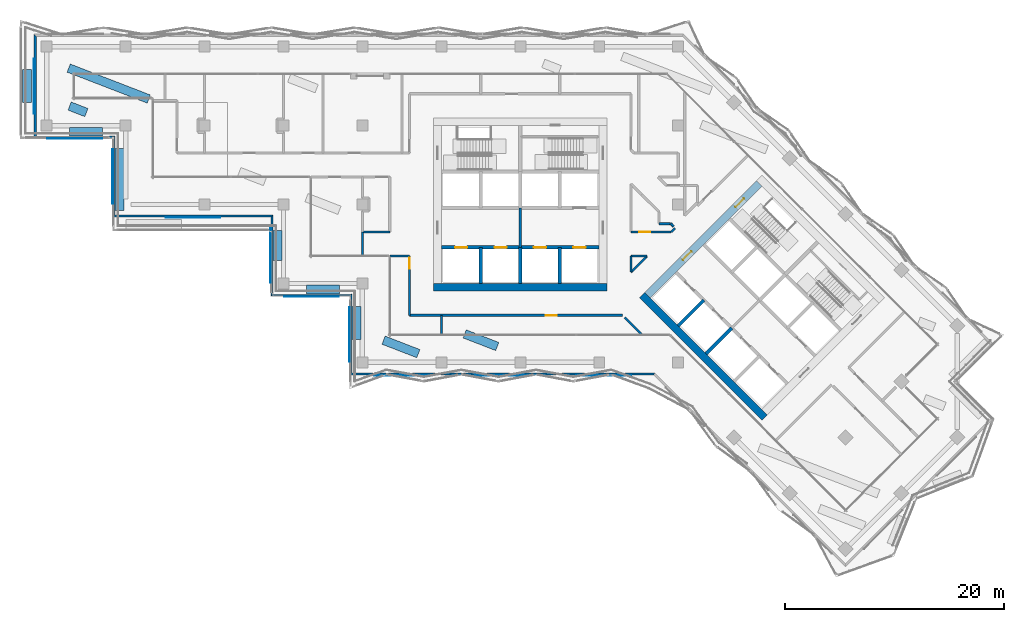
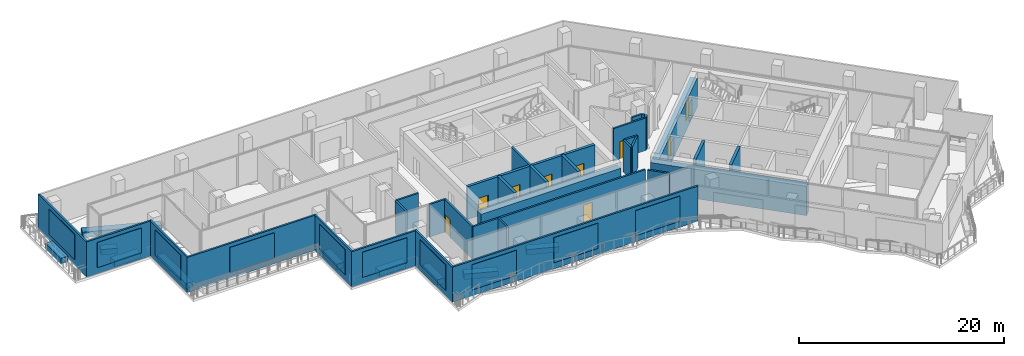
# One storey, part 10 of 23: 42 walls, 10 plates, 9 doors, 9 openings.
"""IFC4 building model written with IfcOpenShell, lengths in metres."""

from ifc_helpers import new_model, si_unit, direction, frame, frame_2d, origin, place, context, subcontext, project, spatial, polyline, rectangle, outline, extrude, material, layer, layer_set, type_object, element, fill, aggregate, save


model = new_model("IFC4")

# Units and contexts
model_context = context("Model", 3, precision=1e-05, world=origin(), true_north=direction((0.0, 1.0)))
body_context = subcontext(model_context, "Body", "Model", "MODEL_VIEW")
ifc_project = project(units=[si_unit("LENGTHUNIT", "METRE"), si_unit("AREAUNIT", "SQUARE_METRE"), si_unit("VOLUMEUNIT", "CUBIC_METRE"), si_unit("PLANEANGLEUNIT", "RADIAN"), si_unit("MASSUNIT", "GRAM", prefix="KILO")], contexts=[model_context])

# Plate
ifc_material_1 = material(Name="Aluminium louvre", Category="aluminium")
ifc_layer_1 = layer(ifc_material_1, 0.05)
ifc_layer_set_1 = layer_set([ifc_layer_1], Name="Belt louvre panel 5000x3000")
plate_type = type_object("IfcPlateType", Name="Belt louvre panel 5000x3000", PredefinedType="SHEET", material=ifc_layer_set_1)
site_placement = place(None, origin())
building_placement = place(site_placement, origin())
storey_placement = place(building_placement, frame((0.0, 0.0, 122.0)))
plate_1_placement = place(storey_placement, frame((20.4, 70.9, 0.75), z_axis=(-1.0, 0.0, 0.0), x_axis=(0.0, -1.0, 0.0)))
plate_1 = element("IfcPlate", 1, at=plate_1_placement, type_object=plate_type, Name="Belt louvre panel L33 35.1", PredefinedType="SHEET", context=body_context, shape_type="SweptSolid", body=[
    extrude(outline(polyline([(0.0, 0.0), (5.0, 0.0), (5.0, 3.0), (0.0, 3.0), (0.0, 0.0)])), origin(), (0.0, 0.0, -1.0), 0.05),
])

plate_2_placement = place(storey_placement, frame((21.65, 63.6, 0.75), z_axis=(0.0, -1.0, 0.0), x_axis=(1.0, 0.0, 0.0)))
plate_2 = element("IfcPlate", 2, at=plate_2_placement, type_object=plate_type, Name="Belt louvre panel L33 39.1", PredefinedType="SHEET", context=body_context, shape_type="SweptSolid", body=[
    extrude(outline(polyline([(0.0, 0.0), (5.0, 0.0), (5.0, 3.0), (0.0, 3.0), (0.0, 0.0)])), origin(), (0.0, 0.0, -1.0), 0.05),
])

plate_3_placement = place(storey_placement, frame((27.6, 62.65, 0.75), z_axis=(-1.0, 0.0, 0.0), x_axis=(0.0, -1.0, 0.0)))
plate_3 = element("IfcPlate", 3, at=plate_3_placement, type_object=plate_type, Name="Belt louvre panel L33 43.1", PredefinedType="SHEET", context=body_context, shape_type="SweptSolid", body=[
    extrude(outline(polyline([(0.0, 0.0), (5.0, 0.0), (5.0, 3.0), (0.0, 3.0), (0.0, 0.0)])), origin(), (0.0, 0.0, -1.0), 0.05),
])

plate_4_placement = place(storey_placement, frame((32.45, 56.4, 0.75), z_axis=(0.0, -1.0, 0.0), x_axis=(1.0, 0.0, 0.0)))
plate_4 = element("IfcPlate", 4, at=plate_4_placement, type_object=plate_type, Name="Belt louvre panel L33 47.1", PredefinedType="SHEET", context=body_context, shape_type="SweptSolid", body=[
    extrude(outline(polyline([(0.0, 0.0), (5.0, 0.0), (5.0, 3.0), (0.0, 3.0), (0.0, 0.0)])), origin(), (0.0, 0.0, -1.0), 0.05),
])

plate_5_placement = place(storey_placement, frame((42.0, 55.45, 0.75), z_axis=(-1.0, 0.0, 0.0), x_axis=(0.0, -1.0, 0.0)))
plate_5 = element("IfcPlate", 5, at=plate_5_placement, type_object=plate_type, Name="Belt louvre panel L33 51.1", PredefinedType="SHEET", context=body_context, shape_type="SweptSolid", body=[
    extrude(outline(polyline([(0.0, 0.0), (5.0, 0.0), (5.0, 3.0), (0.0, 3.0), (0.0, 0.0)])), origin(), (0.0, 0.0, -1.0), 0.05),
])

plate_6_placement = place(storey_placement, frame((43.25, 49.2, 0.75), z_axis=(0.0, -1.0, 0.0), x_axis=(1.0, 0.0, 0.0)))
plate_6 = element("IfcPlate", 6, at=plate_6_placement, type_object=plate_type, Name="Belt louvre panel L33 55.1", PredefinedType="SHEET", context=body_context, shape_type="SweptSolid", body=[
    extrude(outline(polyline([(0.0, 0.0), (5.0, 0.0), (5.0, 3.0), (0.0, 3.0), (0.0, 0.0)])), origin(), (0.0, 0.0, -1.0), 0.05),
])

plate_7_placement = place(storey_placement, frame((49.2, 48.25, 0.75), z_axis=(-1.0, 0.0, 0.0), x_axis=(0.0, -1.0, 0.0)))
plate_7 = element("IfcPlate", 7, at=plate_7_placement, type_object=plate_type, Name="Belt louvre panel L33 59.1", PredefinedType="SHEET", context=body_context, shape_type="SweptSolid", body=[
    extrude(outline(polyline([(0.0, 0.0), (5.0, 0.0), (5.0, 3.0), (0.0, 3.0), (0.0, 0.0)])), origin(), (0.0, 0.0, -1.0), 0.05),
])

plate_8_placement = place(storey_placement, frame((51.4613, 42.0, 0.75), z_axis=(0.0, -1.0, 0.0), x_axis=(1.0, 0.0, 0.0)))
plate_8 = element("IfcPlate", 8, at=plate_8_placement, type_object=plate_type, Name="Belt louvre panel L33 63.1", PredefinedType="SHEET", context=body_context, shape_type="SweptSolid", body=[
    extrude(outline(polyline([(0.0, 0.0), (5.0, 0.0), (5.0, 3.0), (0.0, 3.0), (0.0, 0.0)])), origin(), (0.0, 0.0, -1.0), 0.05),
])

plate_9_placement = place(storey_placement, frame((60.684, 42.0, 0.75), z_axis=(0.0, -1.0, 0.0), x_axis=(1.0, 0.0, 0.0)))
plate_9 = element("IfcPlate", 9, at=plate_9_placement, type_object=plate_type, Name="Belt louvre panel L33 64.2", PredefinedType="SHEET", context=body_context, shape_type="SweptSolid", body=[
    extrude(outline(polyline([(0.0, 0.0), (5.0, 0.0), (5.0, 3.0), (0.0, 3.0), (0.0, 0.0)])), origin(), (0.0, 0.0, -1.0), 0.05),
])

plate_10_placement = place(storey_placement, frame((69.9067, 42.0, 0.75), z_axis=(0.0, -1.0, 0.0), x_axis=(1.0, 0.0, 0.0)))
plate_10 = element("IfcPlate", 10, at=plate_10_placement, type_object=plate_type, Name="Belt louvre panel L33 65.3", PredefinedType="SHEET", context=body_context, shape_type="SweptSolid", body=[
    extrude(outline(polyline([(0.0, 0.0), (5.0, 0.0), (5.0, 3.0), (0.0, 3.0), (0.0, 0.0)])), origin(), (0.0, 0.0, -1.0), 0.05),
])

# Site, building, storey
site = spatial("IfcSite", under=ifc_project, at=site_placement, CompositionType="ELEMENT")
building = spatial("IfcBuilding", under=site, at=building_placement, Name="Windrow Commons", CompositionType="ELEMENT")
storey = spatial("IfcBuildingStorey", under=building, at=storey_placement, Name="L33", CompositionType="ELEMENT", Elevation=122.0)

# Wall
ifc_material_2 = material(Name="Concrete C40/50 precast screen panel", Category="concrete")
ifc_layer_2 = layer(ifc_material_2, 0.2)
ifc_layer_set_2 = layer_set([ifc_layer_2], Name="Belt screen wall 200")
wall_type_1 = type_object("IfcWallType", Name="Belt screen wall 200", PredefinedType="SOLIDWALL", material=ifc_layer_set_2)
wall_1_placement = place(storey_placement, frame((20.55, 73.05, 0.0), z_axis=(0.0, 0.0, 1.0), x_axis=(0.0, -1.0, 0.0)))
wall_1 = element("IfcWall", 11, at=wall_1_placement, inside=storey, type_object=wall_type_1, Name="Belt screen wall L33 35", PredefinedType="SOLIDWALL", context=body_context, shape_type="SweptSolid", body=[
    extrude(outline(polyline([(-0.1, -0.1), (9.4, -0.1), (9.2, 0.1), (0.1, 0.1), (-0.1, -0.1)])), origin(), (0.0, 0.0, 1.0), 4.2),
])

aggregate(wall_1, [plate_1])

wall_2_placement = place(storey_placement, frame((20.55, 63.75, 0.0), z_axis=(0.0, 0.0, 1.0), x_axis=(1.0, 0.0, 0.0)))
wall_2 = element("IfcWall", 12, at=wall_2_placement, inside=storey, type_object=wall_type_1, Name="Belt screen wall L33 39", PredefinedType="SOLIDWALL", context=body_context, shape_type="SweptSolid", body=[
    extrude(outline(polyline([(-0.1, -0.1), (7.1, -0.1), (7.3, 0.1), (0.1, 0.1), (-0.1, -0.1)])), origin(), (0.0, 0.0, 1.0), 4.2),
])

aggregate(wall_2, [plate_2])

wall_3_placement = place(storey_placement, frame((27.75, 63.75, 0.0), z_axis=(0.0, 0.0, 1.0), x_axis=(0.0, -1.0, 0.0)))
wall_3 = element("IfcWall", 13, at=wall_3_placement, inside=storey, type_object=wall_type_1, Name="Belt screen wall L33 43", PredefinedType="SOLIDWALL", context=body_context, shape_type="SweptSolid", body=[
    extrude(outline(polyline([(0.1, -0.1), (7.3, -0.1), (7.1, 0.1), (-0.1, 0.1), (0.1, -0.1)])), origin(), (0.0, 0.0, 1.0), 4.2),
])

aggregate(wall_3, [plate_3])

wall_4_placement = place(storey_placement, frame((27.75, 56.55, 0.0), z_axis=(0.0, 0.0, 1.0), x_axis=(1.0, 0.0, 0.0)))
wall_4 = element("IfcWall", 14, at=wall_4_placement, inside=storey, type_object=wall_type_1, Name="Belt screen wall L33 47", PredefinedType="SOLIDWALL", context=body_context, shape_type="SweptSolid", body=[
    extrude(outline(polyline([(-0.1, -0.1), (14.3, -0.1), (14.5, 0.1), (0.1, 0.1), (-0.1, -0.1)])), origin(), (0.0, 0.0, 1.0), 4.2),
])

aggregate(wall_4, [plate_4])

wall_5_placement = place(storey_placement, frame((42.15, 56.55, 0.0), z_axis=(0.0, 0.0, 1.0), x_axis=(0.0, -1.0, 0.0)))
wall_5 = element("IfcWall", 15, at=wall_5_placement, inside=storey, type_object=wall_type_1, Name="Belt screen wall L33 51", PredefinedType="SOLIDWALL", context=body_context, shape_type="SweptSolid", body=[
    extrude(outline(polyline([(0.1, -0.1), (7.3, -0.1), (7.1, 0.1), (-0.1, 0.1), (0.1, -0.1)])), origin(), (0.0, 0.0, 1.0), 4.2),
])

aggregate(wall_5, [plate_5])

wall_6_placement = place(storey_placement, frame((42.15, 49.35, 0.0), z_axis=(0.0, 0.0, 1.0), x_axis=(1.0, 0.0, 0.0)))
wall_6 = element("IfcWall", 16, at=wall_6_placement, inside=storey, type_object=wall_type_1, Name="Belt screen wall L33 55", PredefinedType="SOLIDWALL", context=body_context, shape_type="SweptSolid", body=[
    extrude(outline(polyline([(-0.1, -0.1), (7.1, -0.1), (7.3, 0.1), (0.1, 0.1), (-0.1, -0.1)])), origin(), (0.0, 0.0, 1.0), 4.2),
])

aggregate(wall_6, [plate_6])

wall_7_placement = place(storey_placement, frame((49.35, 49.35, 0.0), z_axis=(0.0, 0.0, 1.0), x_axis=(0.0, -1.0, 0.0)))
wall_7 = element("IfcWall", 17, at=wall_7_placement, inside=storey, type_object=wall_type_1, Name="Belt screen wall L33 59", PredefinedType="SOLIDWALL", context=body_context, shape_type="SweptSolid", body=[
    extrude(outline(polyline([(0.1, -0.1), (7.3, -0.1), (7.1, 0.1), (-0.1, 0.1), (0.1, -0.1)])), origin(), (0.0, 0.0, 1.0), 4.2),
])

aggregate(wall_7, [plate_7])

wall_8_placement = place(storey_placement, frame((49.35, 42.15, 0.0), z_axis=(0.0, 0.0, 1.0), x_axis=(1.0, 0.0, 0.0)))
wall_8 = element("IfcWall", 18, at=wall_8_placement, inside=storey, type_object=wall_type_1, Name="Belt screen wall L33 63", PredefinedType="SOLIDWALL", context=body_context, shape_type="SweptSolid", body=[
    extrude(outline(polyline([(-0.1, -0.1), (27.6266, -0.1), (27.7095, 0.1), (0.1, 0.1), (-0.1, -0.1)])), origin(), (0.0, 0.0, 1.0), 4.2),
])

aggregate(wall_8, [plate_8, plate_9, plate_10])

ifc_material_3 = material(Name="Blockwork partition", Category="masonry")
ifc_layer_3 = layer(ifc_material_3, 0.2)
ifc_layer_set_3 = layer_set([ifc_layer_3], Name="Fire lobby partition 200")
wall_type_2 = type_object("IfcWallType", Name="Fire lobby partition 200", PredefinedType="PARTITIONING", material=ifc_layer_set_3)
wall_9_placement = place(storey_placement, frame((64.8, 53.7, 0.0), z_axis=(0.0, 0.0, 1.0), x_axis=(0.0, 1.0, 0.0)))
element("IfcWall", 19, at=wall_9_placement, inside=storey, type_object=wall_type_2, Name="W-core-lobby-A-L33", PredefinedType="PARTITIONING", context=body_context, shape_type="SweptSolid", body=[
    extrude(rectangle(XDim=3.6, YDim=0.2, at=frame_2d((1.8, 0.0))), origin(), (0.0, 0.0, 1.0), 3.9),
])

# Wall, opening, door
ifc_material_4 = material(Name="Blockwork partition", Category="masonry")
ifc_layer_4 = layer(ifc_material_4, 0.2)
ifc_layer_set_4 = layer_set([ifc_layer_4], Name="IW-CORRIDOR-200")
wall_type_3 = type_object("IfcWallType", Name="IW-CORRIDOR-200", PredefinedType="PARTITIONING", material=ifc_layer_set_4)
wall_10_placement = place(storey_placement, frame((54.7, 47.5, 0.0), z_axis=(0.0, 0.0, 1.0), x_axis=(1.0, 0.0, 0.0)))
wall_10 = element("IfcWall", 20, at=wall_10_placement, inside=storey, type_object=wall_type_3, Name="W-L33-W002", PredefinedType="PARTITIONING", context=body_context, shape_type="SweptSolid", body=[
    extrude(rectangle(XDim=19.442, YDim=0.2, at=frame_2d((9.721, 0.0))), origin(), (0.0, 0.0, 1.0), 3.9),
])
opening_1_placement = place(wall_10_placement, frame((12.4445, 0.0, 0.0)))
opening_1 = element("IfcOpeningElement", 21, at=opening_1_placement, cuts=wall_10, Name="Opening D310F", PredefinedType="OPENING", context=body_context, shape_type="SweptSolid", body=[
    extrude(rectangle(XDim=1.0, YDim=2.1, at=frame_2d((0.5, 1.05))), frame((0.0, 0.11, 0.0), z_axis=(0.0, -1.0, 0.0), x_axis=(1.0, 0.0, 0.0)), (0.0, 0.0, 1.0), 0.22),
])
ifc_material_5 = material(Name="Timber door leaf", Category="wood")
door_type_1 = type_object("IfcDoorType", Name="DT-AMENITY-1000", OperationType="SINGLE_SWING_LEFT", PredefinedType="DOOR", material=ifc_material_5)
door_1_placement = place(opening_1_placement, origin())
door_1 = element("IfcDoor", 22, at=door_1_placement, inside=storey, type_object=door_type_1, Name="D-L33-D003", OperationType="SINGLE_SWING_LEFT", OverallHeight=2.1, OverallWidth=1.0, PredefinedType="DOOR", context=body_context, shape_type="SweptSolid", body=[
    extrude(rectangle(XDim=1.0, YDim=2.1, at=frame_2d((0.5, 1.05))), frame((0.0, 0.025, 0.0), z_axis=(0.0, -1.0, 0.0), x_axis=(1.0, 0.0, 0.0)), (0.0, 0.0, 1.0), 0.05),
])
fill(opening_1, door_1)

wall_11_placement = place(storey_placement, frame((54.7, 47.5, 0.0), z_axis=(0.0, 0.0, 1.0), x_axis=(0.0, 1.0, 0.0)))
wall_11 = element("IfcWall", 23, at=wall_11_placement, inside=storey, type_object=wall_type_3, Name="W-L33-W012", PredefinedType="PARTITIONING", context=body_context, shape_type="SweptSolid", body=[
    extrude(rectangle(XDim=5.4, YDim=0.2, at=frame_2d((2.7, 0.0))), origin(), (0.0, 0.0, 1.0), 3.9),
])
opening_2_placement = place(wall_11_placement, frame((4.257, 0.0, 0.0)))
opening_2 = element("IfcOpeningElement", 24, at=opening_2_placement, cuts=wall_11, Name="Opening D310F", PredefinedType="OPENING", context=body_context, shape_type="SweptSolid", body=[
    extrude(rectangle(XDim=1.0, YDim=2.1, at=frame_2d((0.5, 1.05))), frame((0.0, 0.11, 0.0), z_axis=(0.0, -1.0, 0.0), x_axis=(1.0, 0.0, 0.0)), (0.0, 0.0, 1.0), 0.22),
])
door_2_placement = place(opening_2_placement, origin())
door_2 = element("IfcDoor", 25, at=door_2_placement, inside=storey, type_object=door_type_1, Name="D-L33-D002", OperationType="SINGLE_SWING_LEFT", OverallHeight=2.1, OverallWidth=1.0, PredefinedType="DOOR", context=body_context, shape_type="SweptSolid", body=[
    extrude(rectangle(XDim=1.0, YDim=2.1, at=frame_2d((0.5, 1.05))), frame((0.0, 0.025, 0.0), z_axis=(0.0, -1.0, 0.0), x_axis=(1.0, 0.0, 0.0)), (0.0, 0.0, 1.0), 0.05),
])
fill(opening_2, door_2)

wall_12_placement = place(storey_placement, frame((74.902, 55.1, 0.0), z_axis=(0.0, 0.0, 1.0), x_axis=(1.0, 0.0, 0.0)))
wall_12 = element("IfcWall", 26, at=wall_12_placement, inside=storey, type_object=wall_type_3, Name="W-L33-W021", PredefinedType="PARTITIONING", context=body_context, shape_type="SweptSolid", body=[
    extrude(rectangle(XDim=3.662, YDim=0.2, at=frame_2d((1.831, 0.0))), origin(), (0.0, 0.0, 1.0), 3.9),
])
opening_3_placement = place(wall_12_placement, frame((0.7309, 0.0, 0.0)))
opening_3 = element("IfcOpeningElement", 27, at=opening_3_placement, cuts=wall_12, Name="Opening D310F", PredefinedType="OPENING", context=body_context, shape_type="SweptSolid", body=[
    extrude(rectangle(XDim=1.0, YDim=2.1, at=frame_2d((0.5, 1.05))), frame((0.0, 0.11, 0.0), z_axis=(0.0, -1.0, 0.0), x_axis=(1.0, 0.0, 0.0)), (0.0, 0.0, 1.0), 0.22),
])
door_3_placement = place(opening_3_placement, origin())
door_3 = element("IfcDoor", 28, at=door_3_placement, inside=storey, type_object=door_type_1, Name="D-L33-D004", OperationType="SINGLE_SWING_LEFT", OverallHeight=2.1, OverallWidth=1.0, PredefinedType="DOOR", context=body_context, shape_type="SweptSolid", body=[
    extrude(rectangle(XDim=1.0, YDim=2.1, at=frame_2d((0.5, 1.05))), frame((0.0, 0.025, 0.0), z_axis=(0.0, -1.0, 0.0), x_axis=(1.0, 0.0, 0.0)), (0.0, 0.0, 1.0), 0.05),
])
fill(opening_3, door_3)

# Walls
wall_13_placement = place(storey_placement, frame((50.4, 55.1, 0.0), z_axis=(0.0, 0.0, 1.0), x_axis=(1.0, 0.0, 0.0)))
element("IfcWall", 29, at=wall_13_placement, inside=storey, type_object=wall_type_3, Name="W-L33-W025", PredefinedType="PARTITIONING", context=body_context, shape_type="SweptSolid", body=[
    extrude(rectangle(XDim=2.5, YDim=0.2, at=frame_2d((1.25, 0.0))), origin(), (0.0, 0.0, 1.0), 3.9),
])
wall_14_placement = place(storey_placement, frame((74.3393, 47.2973, 0.0), z_axis=(0.0, 0.0, 1.0), x_axis=(0.7071067812, -0.7071067812, 0.0)))
element("IfcWall", 30, at=wall_14_placement, inside=storey, type_object=wall_type_3, Name="W-L33-W028", PredefinedType="PARTITIONING", context=body_context, shape_type="SweptSolid", body=[
    extrude(rectangle(XDim=2.2203, YDim=0.2, at=frame_2d((1.1101, 0.0))), origin(), (0.0, 0.0, 1.0), 3.9),
])
wall_15_placement = place(storey_placement, frame((50.4, 52.93, 0.0), z_axis=(0.0, 0.0, 1.0), x_axis=(0.0, 1.0, 0.0)))
element("IfcWall", 31, at=wall_15_placement, inside=storey, type_object=wall_type_3, Name="W-L33-W031", PredefinedType="PARTITIONING", context=body_context, shape_type="SweptSolid", body=[
    extrude(rectangle(XDim=2.17, YDim=0.2, at=frame_2d((1.085, 0.0))), origin(), (0.0, 0.0, 1.0), 3.9),
])
wall_16_placement = place(storey_placement, frame((74.9009, 51.4391, 0.0), z_axis=(0.0, 0.0, 1.0), x_axis=(0.7071067812, 0.7071067812, 0.0)))
element("IfcWall", 32, at=wall_16_placement, inside=storey, type_object=wall_type_3, Name="W-L33-W032", PredefinedType="PARTITIONING", context=body_context, shape_type="SweptSolid", body=[
    extrude(rectangle(XDim=2.0648, YDim=0.2, at=frame_2d((1.0324, 0.0))), origin(), (0.0, 0.0, 1.0), 3.9),
])
wall_17_placement = place(storey_placement, frame((52.912, 52.9, 0.0), z_axis=(0.0, 0.0, 1.0), x_axis=(1.0, 0.0, 0.0)))
element("IfcWall", 33, at=wall_17_placement, inside=storey, type_object=wall_type_3, Name="W-L33-W039", PredefinedType="PARTITIONING", context=body_context, shape_type="SweptSolid", body=[
    extrude(rectangle(XDim=1.788, YDim=0.2, at=frame_2d((0.894, 0.0))), origin(), (0.0, 0.0, 1.0), 3.9),
])
wall_18_placement = place(storey_placement, frame((74.9, 51.438, 0.0), z_axis=(0.0, 0.0, 1.0), x_axis=(0.0, 1.0, 0.0)))
element("IfcWall", 34, at=wall_18_placement, inside=storey, type_object=wall_type_3, Name="W-L33-W046", PredefinedType="PARTITIONING", context=body_context, shape_type="SweptSolid", body=[
    extrude(rectangle(XDim=1.462, YDim=0.2, at=frame_2d((0.731, 0.0))), origin(), (0.0, 0.0, 1.0), 3.9),
])
wall_19_placement = place(storey_placement, frame((74.902, 52.9, 0.0), z_axis=(0.0, 0.0, 1.0), x_axis=(1.0, 0.0, 0.0)))
element("IfcWall", 35, at=wall_19_placement, inside=storey, type_object=wall_type_3, Name="W-L33-W047", PredefinedType="PARTITIONING", context=body_context, shape_type="SweptSolid", body=[
    extrude(rectangle(XDim=1.46, YDim=0.2, at=frame_2d((0.73, 0.0))), origin(), (0.0, 0.0, 1.0), 3.9),
])
wall_20_placement = place(storey_placement, frame((77.452, 55.85, 0.0), z_axis=(0.0, 0.0, 1.0), x_axis=(1.0, 0.0, 0.0)))
element("IfcWall", 36, at=wall_20_placement, inside=storey, type_object=wall_type_3, Name="W-L33-W055", PredefinedType="PARTITIONING", context=body_context, shape_type="SweptSolid", body=[
    extrude(rectangle(XDim=1.068, YDim=0.2, at=frame_2d((0.534, 0.0))), origin(), (0.0, 0.0, 1.0), 3.9),
])
wall_21_placement = place(storey_placement, frame((78.5629, 55.1011, 0.0), z_axis=(0.0, 0.0, 1.0), x_axis=(0.7071067812, 0.7071067812, 0.0)))
element("IfcWall", 37, at=wall_21_placement, inside=storey, type_object=wall_type_3, Name="W-L33-W065", PredefinedType="PARTITIONING", context=body_context, shape_type="SweptSolid", body=[
    extrude(rectangle(XDim=0.4978, YDim=0.2, at=frame_2d((0.2489, 0.0))), origin(), (0.0, 0.0, 1.0), 3.9),
])
wall_22_placement = place(storey_placement, frame((78.5253, 55.8533, 0.0), z_axis=(0.0, 0.0, 1.0), x_axis=(0.7071067812, -0.7071067812, 0.0)))
element("IfcWall", 38, at=wall_22_placement, inside=storey, type_object=wall_type_3, Name="W-L33-W067", PredefinedType="PARTITIONING", context=body_context, shape_type="SweptSolid", body=[
    extrude(rectangle(XDim=0.3592, YDim=0.2, at=frame_2d((0.1796, 0.0))), origin(), (0.0, 0.0, 1.0), 3.9),
])
ifc_material_6 = material(Name="Blockwork partition", Category="masonry")
ifc_layer_5 = layer(ifc_material_6, 0.2)
ifc_layer_set_5 = layer_set([ifc_layer_5], Name="IW-PARTY-200")
wall_type_4 = type_object("IfcWallType", Name="IW-PARTY-200", PredefinedType="PARTITIONING", material=ifc_layer_set_5)
wall_23_placement = place(storey_placement, frame((57.6, 45.73, 0.0), z_axis=(0.0, 0.0, 1.0), x_axis=(0.0, 1.0, 0.0)))
element("IfcWall", 39, at=wall_23_placement, inside=storey, type_object=wall_type_4, Name="W-L33-W040", PredefinedType="PARTITIONING", context=body_context, shape_type="SweptSolid", body=[
    extrude(rectangle(XDim=1.77, YDim=0.2, at=frame_2d((0.885, 0.0))), origin(), (0.0, 0.0, 1.0), 3.9),
])
ifc_material_7 = material(Name="Concrete C30/37 planter wall", Category="concrete")
ifc_layer_6 = layer(ifc_material_7, 0.8)
ifc_layer_set_6 = layer_set([ifc_layer_6], Name="Planter 800x600")
wall_type_5 = type_object("IfcWallType", Name="Planter 800x600", PredefinedType="SOLIDWALL", material=ifc_layer_set_6)
wall_24_placement = place(storey_placement, frame((19.817, 69.9089, 0.0), z_axis=(0.0, 0.0, 1.0), x_axis=(0.0, -1.0, 0.0)))
element("IfcWall", 40, at=wall_24_placement, inside=storey, type_object=wall_type_5, Name="PLANTER TR-L33-1.34", PredefinedType="SOLIDWALL", context=body_context, shape_type="SweptSolid", body=[
    extrude(rectangle(XDim=3.0178, YDim=0.8, at=frame_2d((1.5089, 0.0))), origin(), (0.0, 0.0, 1.0), 0.65),
])
wall_25_placement = place(storey_placement, frame((23.7, 64.25, 0.0), z_axis=(0.0, 0.0, 1.0), x_axis=(1.0, 0.0, 0.0)))
element("IfcWall", 41, at=wall_25_placement, inside=storey, type_object=wall_type_5, Name="PLANTER TR-L33-1.35", PredefinedType="SOLIDWALL", context=body_context, shape_type="SweptSolid", body=[
    extrude(rectangle(XDim=3.0, YDim=0.8, at=frame_2d((1.5, 0.0))), origin(), (0.0, 0.0, 1.0), 0.65),
])
wall_26_placement = place(storey_placement, frame((28.25, 62.7, 0.0), z_axis=(0.0, 0.0, 1.0), x_axis=(0.0, -1.0, 0.0)))
element("IfcWall", 42, at=wall_26_placement, inside=storey, type_object=wall_type_5, Name="PLANTER TR-L33-1.36", PredefinedType="SOLIDWALL", context=body_context, shape_type="SweptSolid", body=[
    extrude(rectangle(XDim=5.63, YDim=0.8, at=frame_2d((2.815, 0.0))), origin(), (0.0, 0.0, 1.0), 0.65),
])
wall_27_placement = place(storey_placement, frame((42.65, 55.217, 0.0), z_axis=(0.0, 0.0, 1.0), x_axis=(0.0, -1.0, 0.0)))
element("IfcWall", 43, at=wall_27_placement, inside=storey, type_object=wall_type_5, Name="PLANTER TR-L33-1.38", PredefinedType="SOLIDWALL", context=body_context, shape_type="SweptSolid", body=[
    extrude(rectangle(XDim=2.717, YDim=0.8, at=frame_2d((1.3585, 0.0))), origin(), (0.0, 0.0, 1.0), 0.65),
])
for number, where, z_axis, x_axis, name in (
    (44, (45.3, 49.85, 0.0), (0.0, 0.0, 1.0), (1.0, 0.0, 0.0), "PLANTER TR-L33-1.39"),
    (45, (49.85, 48.3, 0.0), (0.0, 0.0, 1.0), (0.0, -1.0, 0.0), "PLANTER TR-L33-1.40"),
):
    element("IfcWall", number, at=place(storey_placement, frame(where, z_axis=z_axis, x_axis=x_axis)), inside=storey, type_object=wall_type_5, Name=name, PredefinedType="SOLIDWALL", context=body_context, shape_type="SweptSolid", body=[
        extrude(rectangle(XDim=3.0, YDim=0.8, at=frame_2d((1.5, 0.0))), origin(), (0.0, 0.0, 1.0), 0.65),
    ])
wall_28_placement = place(storey_placement, frame((30.91, 67.2241, 0.0), z_axis=(0.0, 0.0, 1.0), x_axis=(-0.9328062354, 0.3603783111, 0.0)))
element("IfcWall", 46, at=wall_28_placement, inside=storey, type_object=wall_type_5, Name="PLANTER TR-L33-1 bed 11", PredefinedType="SOLIDWALL", context=body_context, shape_type="SweptSolid", body=[
    extrude(rectangle(XDim=7.8279, YDim=0.8, at=frame_2d((3.9139, 0.0))), origin(), (0.0, 0.0, 1.0), 0.65),
])
wall_29_placement = place(storey_placement, frame((25.224, 65.9903, 0.0), z_axis=(0.0, 0.0, 1.0), x_axis=(-0.9328018541, 0.3603896516, 0.0)))
element("IfcWall", 47, at=wall_29_placement, inside=storey, type_object=wall_type_5, Name="PLANTER TR-L33-1 bed 16", PredefinedType="SOLIDWALL", context=body_context, shape_type="SweptSolid", body=[
    extrude(rectangle(XDim=1.6432, YDim=0.8, at=frame_2d((0.8216, 0.0))), origin(), (0.0, 0.0, 1.0), 0.65),
])
wall_30_placement = place(storey_placement, frame((62.7, 44.6514, 0.0), z_axis=(0.0, 0.0, 1.0), x_axis=(-0.9328125164, 0.3603620531, 0.0)))
element("IfcWall", 48, at=wall_30_placement, inside=storey, type_object=wall_type_5, Name="PLANTER TR-L33-1 bed 18", PredefinedType="SOLIDWALL", context=body_context, shape_type="SweptSolid", body=[
    extrude(rectangle(XDim=3.1874, YDim=0.8, at=frame_2d((1.5937, 0.0))), origin(), (0.0, 0.0, 1.0), 0.65),
])
wall_31_placement = place(storey_placement, frame((55.5, 44.0024, 0.0), z_axis=(0.0, 0.0, 1.0), x_axis=(-0.9328024051, 0.3603882254, 0.0)))
element("IfcWall", 49, at=wall_31_placement, inside=storey, type_object=wall_type_5, Name="PLANTER TR-L33-1 bed 20", PredefinedType="SOLIDWALL", context=body_context, shape_type="SweptSolid", body=[
    extrude(rectangle(XDim=3.3991, YDim=0.8, at=frame_2d((1.6995, 0.0))), origin(), (0.0, 0.0, 1.0), 0.65),
])
ifc_material_8 = material(Name="Concrete C50/60", Category="concrete")
ifc_layer_7 = layer(ifc_material_8, 0.7)
ifc_layer_set_7 = layer_set([ifc_layer_7], Name="RC CORE WALL 700 C50/60")
wall_type_6 = type_object("IfcWallType", Name="RC CORE WALL 700 C50/60", PredefinedType="SHEAR", material=ifc_layer_set_7)
wall_32_placement = place(storey_placement, frame((56.9, 50.05, -0.3), z_axis=(0.0, 0.0, 1.0), x_axis=(1.0, 0.0, 0.0)))
element("IfcWall", 50, at=wall_32_placement, inside=storey, type_object=wall_type_6, Name="Core A wall outer-S", PredefinedType="SHEAR", context=body_context, shape_type="SweptSolid", body=[
    extrude(rectangle(XDim=15.8, YDim=0.7, at=frame_2d((7.9, 0.0))), origin(), (0.0, 0.0, 1.0), 3.5),
])
wall_33_placement = place(storey_placement, frame((75.912, 49.3372, -0.3), z_axis=(0.0, 0.0, 1.0), x_axis=(0.7071036166, -0.7071099457, 0.0)))
element("IfcWall", 51, at=wall_33_placement, inside=storey, type_object=wall_type_6, Name="Core B wall outer-S", PredefinedType="SHEAR", context=body_context, shape_type="SweptSolid", body=[
    extrude(rectangle(XDim=15.7999, YDim=0.7, at=frame_2d((7.8999, 0.0))), origin(), (0.0, 0.0, 1.0), 3.5),
])

# Wall, openings, doors
wall_34_placement = place(storey_placement, frame((76.4069, 49.3372, -0.3), z_axis=(0.0, 0.0, 1.0), x_axis=(0.7071067812, 0.7071067812, 0.0)))
wall_34 = element("IfcWall", 52, at=wall_34_placement, inside=storey, type_object=wall_type_6, Name="Core B wall outer-W", PredefinedType="SHEAR", context=body_context, shape_type="SweptSolid", body=[
    extrude(rectangle(XDim=14.4001, YDim=0.7, at=frame_2d((7.2001, 0.0))), origin(), (0.0, 0.0, 1.0), 3.5),
])
opening_4_placement = place(wall_34_placement, frame((4.55, 0.0, 0.3)))
opening_4 = element("IfcOpeningElement", 53, at=opening_4_placement, cuts=wall_34, Name="Opening D6", PredefinedType="OPENING", context=body_context, shape_type="SweptSolid", body=[
    extrude(rectangle(XDim=1.1, YDim=2.1, at=frame_2d((0.55, 1.05))), frame((0.0, 0.36, 0.0), z_axis=(0.0, -1.0, 0.0), x_axis=(1.0, 0.0, 0.0)), (0.0, 0.0, 1.0), 0.72),
])
opening_5_placement = place(wall_34_placement, frame((11.35, 0.0, 0.3)))
opening_5 = element("IfcOpeningElement", 54, at=opening_5_placement, cuts=wall_34, Name="Opening D7", PredefinedType="OPENING", context=body_context, shape_type="SweptSolid", body=[
    extrude(rectangle(XDim=1.1, YDim=2.1, at=frame_2d((0.55, 1.05))), frame((0.0, 0.36, 0.0), z_axis=(0.0, -1.0, 0.0), x_axis=(1.0, 0.0, 0.0)), (0.0, 0.0, 1.0), 0.72),
])
ifc_material_9 = material(Name="Steel fire door leaf", Category="steel")
door_type_2 = type_object("IfcDoorType", Name="Core lobby door 1100", OperationType="SINGLE_SWING_LEFT", PredefinedType="DOOR", material=ifc_material_9)
door_4_placement = place(opening_4_placement, origin())
door_4 = element("IfcDoor", 55, at=door_4_placement, inside=storey, type_object=door_type_2, Name="Lift lobby door", OperationType="DOUBLE_DOOR_SINGLE_SWING", OverallHeight=2.1, OverallWidth=1.1, PredefinedType="DOOR", context=body_context, shape_type="SweptSolid", body=[
    extrude(rectangle(XDim=1.1, YDim=2.1, at=frame_2d((0.55, 1.05))), frame((0.0, 0.025, 0.0), z_axis=(0.0, -1.0, 0.0), x_axis=(1.0, 0.0, 0.0)), (0.0, 0.0, 1.0), 0.05),
])
fill(opening_4, door_4)
ifc_material_10 = material(Name="Steel fire door leaf", Category="steel")
door_type_3 = type_object("IfcDoorType", Name="Stair door 1100", OperationType="SINGLE_SWING_LEFT", PredefinedType="DOOR", material=ifc_material_10)
door_5_placement = place(opening_5_placement, origin())
door_5 = element("IfcDoor", 56, at=door_5_placement, inside=storey, type_object=door_type_3, Name="Stair door", OperationType="SINGLE_SWING_LEFT", OverallHeight=2.1, OverallWidth=1.1, PredefinedType="DOOR", context=body_context, shape_type="SweptSolid", body=[
    extrude(rectangle(XDim=1.1, YDim=2.1, at=frame_2d((0.55, 1.05))), frame((0.0, 0.025, 0.0), z_axis=(0.0, -1.0, 0.0), x_axis=(1.0, 0.0, 0.0)), (0.0, 0.0, 1.0), 0.05),
])
fill(opening_5, door_5)

# Walls
ifc_material_11 = material(Name="Concrete C50/60", Category="concrete")
ifc_layer_8 = layer(ifc_material_11, 0.3)
ifc_layer_set_8 = layer_set([ifc_layer_8], Name="RC SHAFT WALL 300 C50/60")
wall_type_7 = type_object("IfcWallType", Name="RC SHAFT WALL 300 C50/60", PredefinedType="SOLIDWALL", material=ifc_layer_set_8)
for number, where, z_axis, x_axis, name in (
    (57, (61.2, 50.4, 0.0), (0.0, 0.0, 1.0), (0.0, 1.0, 0.0), "Core A wall shaft-S1"),
    (58, (64.8, 50.4, 0.0), (0.0, 0.0, 1.0), (0.0, 1.0, 0.0), "Core A wall shaft-S2"),
    (59, (68.4, 50.4, 0.0), (0.0, 0.0, 1.0), (0.0, 1.0, 0.0), "Core A wall shaft-S3"),
):
    element("IfcWall", number, at=place(storey_placement, frame(where, z_axis=z_axis, x_axis=x_axis)), inside=storey, type_object=wall_type_7, Name=name, PredefinedType="SOLIDWALL", context=body_context, shape_type="SweptSolid", body=[
        extrude(rectangle(XDim=3.3, YDim=0.3, at=frame_2d((1.65, 0.0))), origin(), (0.0, 0.0, 1.0), 3.9),
    ])

# Wall, openings, doors
wall_35_placement = place(storey_placement, frame((57.6, 53.7, 0.0), z_axis=(0.0, 0.0, 1.0), x_axis=(1.0, 0.0, 0.0)))
wall_35 = element("IfcWall", 60, at=wall_35_placement, inside=storey, type_object=wall_type_7, Name="Core A wall lobby-S", PredefinedType="SOLIDWALL", context=body_context, shape_type="SweptSolid", body=[
    extrude(rectangle(XDim=14.4, YDim=0.3, at=frame_2d((7.2, 0.0))), origin(), (0.0, 0.0, 1.0), 3.9),
])
opening_6_placement = place(wall_35_placement, frame((1.25, 0.0, 0.0)))
opening_6 = element("IfcOpeningElement", 61, at=opening_6_placement, cuts=wall_35, Name="Opening LD", PredefinedType="OPENING", context=body_context, shape_type="SweptSolid", body=[
    extrude(rectangle(XDim=1.1, YDim=2.1, at=frame_2d((0.55, 1.05))), frame((0.0, 0.16, 0.0), z_axis=(0.0, -1.0, 0.0), x_axis=(1.0, 0.0, 0.0)), (0.0, 0.0, 1.0), 0.32),
])
opening_7_placement = place(wall_35_placement, frame((4.85, 0.0, 0.0)))
opening_7 = element("IfcOpeningElement", 62, at=opening_7_placement, cuts=wall_35, Name="Opening LD", PredefinedType="OPENING", context=body_context, shape_type="SweptSolid", body=[
    extrude(rectangle(XDim=1.1, YDim=2.1, at=frame_2d((0.55, 1.05))), frame((0.0, 0.16, 0.0), z_axis=(0.0, -1.0, 0.0), x_axis=(1.0, 0.0, 0.0)), (0.0, 0.0, 1.0), 0.32),
])
opening_8_placement = place(wall_35_placement, frame((8.45, 0.0, 0.0)))
opening_8 = element("IfcOpeningElement", 63, at=opening_8_placement, cuts=wall_35, Name="Opening LD", PredefinedType="OPENING", context=body_context, shape_type="SweptSolid", body=[
    extrude(rectangle(XDim=1.1, YDim=2.1, at=frame_2d((0.55, 1.05))), frame((0.0, 0.16, 0.0), z_axis=(0.0, -1.0, 0.0), x_axis=(1.0, 0.0, 0.0)), (0.0, 0.0, 1.0), 0.32),
])
opening_9_placement = place(wall_35_placement, frame((12.05, 0.0, 0.0)))
opening_9 = element("IfcOpeningElement", 64, at=opening_9_placement, cuts=wall_35, Name="Opening LD", PredefinedType="OPENING", context=body_context, shape_type="SweptSolid", body=[
    extrude(rectangle(XDim=1.1, YDim=2.1, at=frame_2d((0.55, 1.05))), frame((0.0, 0.16, 0.0), z_axis=(0.0, -1.0, 0.0), x_axis=(1.0, 0.0, 0.0)), (0.0, 0.0, 1.0), 0.32),
])
ifc_material_12 = material(Name="Stainless steel door leaf", Category="steel")
door_type_4 = type_object("IfcDoorType", Name="Lift landing door 1100", OperationType="SLIDING_TO_LEFT", PredefinedType="DOOR", material=ifc_material_12)
door_6_placement = place(opening_6_placement, origin())
door_6 = element("IfcDoor", 65, at=door_6_placement, inside=storey, type_object=door_type_4, Name="Lift landing door", OperationType="SLIDING_TO_LEFT", OverallHeight=2.1, OverallWidth=1.1, PredefinedType="DOOR", context=body_context, shape_type="SweptSolid", body=[
    extrude(rectangle(XDim=1.1, YDim=2.1, at=frame_2d((0.55, 1.05))), frame((0.0, 0.025, 0.0), z_axis=(0.0, -1.0, 0.0), x_axis=(1.0, 0.0, 0.0)), (0.0, 0.0, 1.0), 0.05),
])
fill(opening_6, door_6)
door_7_placement = place(opening_7_placement, origin())
door_7 = element("IfcDoor", 66, at=door_7_placement, inside=storey, type_object=door_type_4, Name="Lift landing door", OperationType="SLIDING_TO_RIGHT", OverallHeight=2.1, OverallWidth=1.1, PredefinedType="DOOR", context=body_context, shape_type="SweptSolid", body=[
    extrude(rectangle(XDim=1.1, YDim=2.1, at=frame_2d((0.55, 1.05))), frame((0.0, 0.025, 0.0), z_axis=(0.0, -1.0, 0.0), x_axis=(1.0, 0.0, 0.0)), (0.0, 0.0, 1.0), 0.05),
])
fill(opening_7, door_7)
door_8_placement = place(opening_8_placement, origin())
door_8 = element("IfcDoor", 67, at=door_8_placement, inside=storey, type_object=door_type_4, Name="Lift landing door", OperationType="SLIDING_TO_LEFT", OverallHeight=2.1, OverallWidth=1.1, PredefinedType="DOOR", context=body_context, shape_type="SweptSolid", body=[
    extrude(rectangle(XDim=1.1, YDim=2.1, at=frame_2d((0.55, 1.05))), frame((0.0, 0.025, 0.0), z_axis=(0.0, -1.0, 0.0), x_axis=(1.0, 0.0, 0.0)), (0.0, 0.0, 1.0), 0.05),
])
fill(opening_8, door_8)
door_9_placement = place(opening_9_placement, origin())
door_9 = element("IfcDoor", 68, at=door_9_placement, inside=storey, type_object=door_type_4, Name="Lift landing door", OperationType="SLIDING_TO_RIGHT", OverallHeight=2.1, OverallWidth=1.1, PredefinedType="DOOR", context=body_context, shape_type="SweptSolid", body=[
    extrude(rectangle(XDim=1.1, YDim=2.1, at=frame_2d((0.55, 1.05))), frame((0.0, 0.025, 0.0), z_axis=(0.0, -1.0, 0.0), x_axis=(1.0, 0.0, 0.0)), (0.0, 0.0, 1.0), 0.05),
])
fill(opening_9, door_9)

# Walls
wall_36_placement = place(storey_placement, frame((79.2, 46.5442, 0.0), z_axis=(0.0, 0.0, 1.0), x_axis=(0.7071219326, 0.7070916295, 0.0)))
element("IfcWall", 69, at=wall_36_placement, inside=storey, type_object=wall_type_7, Name="Core B wall shaft-S1", PredefinedType="SOLIDWALL", context=body_context, shape_type="SweptSolid", body=[
    extrude(rectangle(XDim=3.3, YDim=0.3, at=frame_2d((1.65, 0.0))), origin(), (0.0, 0.0, 1.0), 3.9),
])
wall_37_placement = place(storey_placement, frame((81.7456, 43.9986, 0.0), z_axis=(0.0, 0.0, 1.0), x_axis=(0.7071067812, 0.7071067812, 0.0)))
element("IfcWall", 70, at=wall_37_placement, inside=storey, type_object=wall_type_7, Name="Core B wall shaft-S2", PredefinedType="SOLIDWALL", context=body_context, shape_type="SweptSolid", body=[
    extrude(rectangle(XDim=3.2999, YDim=0.3, at=frame_2d((1.65, 0.0))), origin(), (0.0, 0.0, 1.0), 3.9),
])

save(model, "model.ifc")
